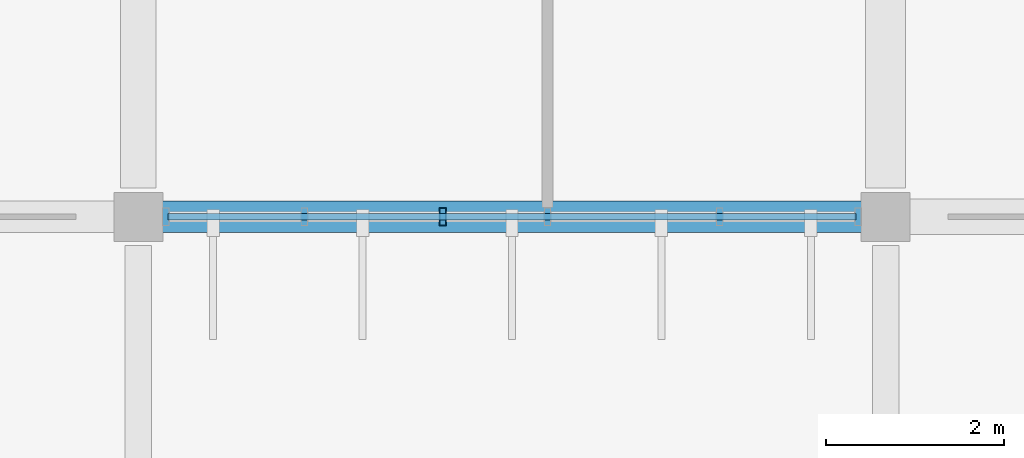
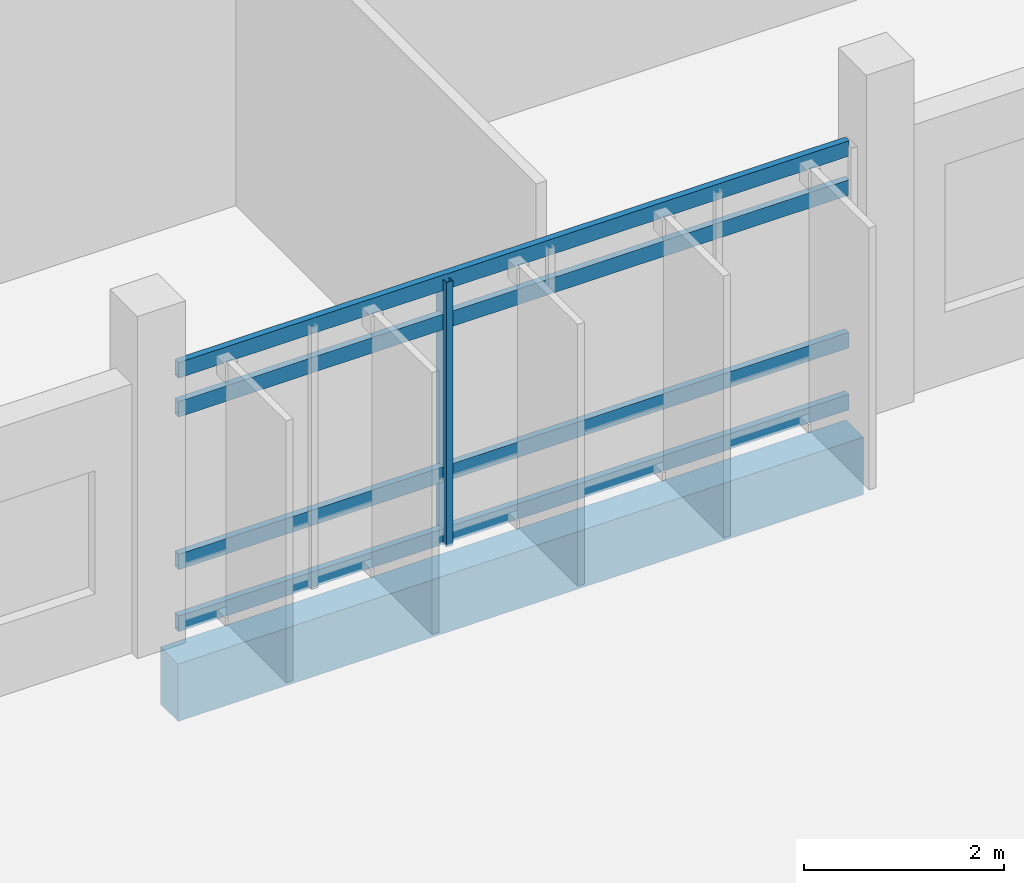
# One storey, part 68 of 130: 5 members, 1 beam, 1 element without a shape of its own.
"""IFC4 building model written with IfcOpenShell, lengths in metres."""

from ifc_helpers import new_model, si_unit, direction, frame, origin, origin_2d, place, context, subcontext, project, spatial, rectangle, hollow_rectangle, extrude, material, layer, layer_set, material_profile, profile_set, type_object, element, aggregate, save


model = new_model("IFC4")

# Units and contexts
model_context = context("Model", 3, precision=1e-05, world=origin(), true_north=direction((0.0, 1.0)))
body_context = subcontext(model_context, "Body", "Model", "MODEL_VIEW")
ifc_project = project(units=[si_unit("LENGTHUNIT", "METRE"), si_unit("AREAUNIT", "SQUARE_METRE"), si_unit("VOLUMEUNIT", "CUBIC_METRE"), si_unit("PLANEANGLEUNIT", "RADIAN"), si_unit("MASSUNIT", "GRAM", prefix="KILO")], contexts=[model_context])

# Site, building, storey
site_placement = place(None, origin())
site = spatial("IfcSite", under=ifc_project, at=site_placement, CompositionType="ELEMENT")
building_placement = place(site_placement, origin())
building = spatial("IfcBuilding", under=site, at=building_placement, Name="Vireocrest Preparatory School", CompositionType="ELEMENT")
storey_placement = place(building_placement, frame((0.0, 0.0, 9.0)))
storey = spatial("IfcBuildingStorey", under=building, at=storey_placement, Name="L02", CompositionType="ELEMENT", Elevation=9.0)

# Curtain wall, members
ifc_material_1 = material(Name="Thermally broken aluminium EN AW-6063-T6", Category="aluminium")
ifc_layer = layer(ifc_material_1, 0.179931640625)
ifc_layer_set = layer_set([ifc_layer], Name="Thermally broken aluminium EN AW-6063-T6")
curtain_wall_type = type_object("IfcCurtainWallType", Name="Side Facade Curtain Wall 9000x4200", PredefinedType="USERDEFINED", material=ifc_layer_set)
curtain_wall_placement = place(storey_placement, origin())
curtain_wall = element("IfcCurtainWall", 1, at=curtain_wall_placement, inside=storey, type_object=curtain_wall_type, Name="Curtain Wall CW07 CW_L02_CW07_0758_0948_090", ObjectType="CURTAIN WALL", PredefinedType="USERDEFINED")
ifc_material_profile_1 = material_profile(ifc_material_1, hollow_rectangle(XDim=0.074951171875, YDim=0.199951171875, WallThickness=0.0048828125, at=origin_2d()), Name="ALU 75x200x5")
ifc_profile_set_1 = profile_set([ifc_material_profile_1], Name="Thermally broken aluminium EN AW-6063-T6")
member_type_1 = type_object("IfcMemberType", Name="CW Mullion 75x200x5", PredefinedType="MULLION", material=ifc_profile_set_1)
member_1_placement = place(storey_placement, frame((79.02197265625, 94.800048828125, 0.0), z_axis=(0.0, 0.0, 1.0), x_axis=(1.0, 0.0, 0.0)))
member_1 = element("IfcMember", 2, at=member_1_placement, type_object=member_type_1, Name="CW Mullion ML3 CW_L02_CW07_0758_0948_090-3", PredefinedType="MULLION", context=body_context, shape_type="SweptSolid", body=[
    extrude(hollow_rectangle(XDim=0.074951171875, YDim=0.199951171875, WallThickness=0.0048828125, at=origin_2d()), origin(), (0.0, 0.0, 1.0), 3.22509765625),
])
ifc_material_profile_2 = material_profile(ifc_material_1, hollow_rectangle(XDim=0.074951171875, YDim=0.18994140625, WallThickness=0.00390625, at=origin_2d()), Name="ALU 75x190x4")
ifc_profile_set_2 = profile_set([ifc_material_profile_2], Name="Thermally broken aluminium EN AW-6063-T6")
member_type_2 = type_object("IfcMemberType", Name="CW Transom 75x190x4", PredefinedType="USERDEFINED", material=ifc_profile_set_2)
member_2_placement = place(storey_placement, frame((75.93505859375, 94.800048828125, 0.094970703125), z_axis=(1.0, 0.0, 0.0), x_axis=(0.0, 1.0, 0.0)))
member_2 = element("IfcMember", 3, at=member_2_placement, type_object=member_type_2, Name="CW Transom TR3 CW_L02_CW07_0758_0948_090-1", ObjectType="TRANSOM", PredefinedType="USERDEFINED", context=body_context, shape_type="SweptSolid", body=[
    extrude(hollow_rectangle(XDim=0.074951171875, YDim=0.18994140625, WallThickness=0.00390625, at=origin_2d()), origin(), (0.0, 0.0, 1.0), 7.72998046875),
])
member_3_placement = place(storey_placement, frame((75.93505859375, 94.800048828125, 0.85009765625), z_axis=(1.0, 0.0, 0.0), x_axis=(0.0, 1.0, 0.0)))
member_3 = element("IfcMember", 4, at=member_3_placement, type_object=member_type_2, Name="CW Transom TR3 CW_L02_CW07_0758_0948_090-2", ObjectType="TRANSOM", PredefinedType="USERDEFINED", context=body_context, shape_type="SweptSolid", body=[
    extrude(hollow_rectangle(XDim=0.074951171875, YDim=0.18994140625, WallThickness=0.00390625, at=origin_2d()), origin(), (0.0, 0.0, 1.0), 7.72998046875),
])
member_4_placement = place(storey_placement, frame((75.93505859375, 94.800048828125, 2.7099609375), z_axis=(1.0, 0.0, 0.0), x_axis=(0.0, 1.0, 0.0)))
member_4 = element("IfcMember", 5, at=member_4_placement, type_object=member_type_2, Name="CW Transom TR3 CW_L02_CW07_0758_0948_090-3", ObjectType="TRANSOM", PredefinedType="USERDEFINED", context=body_context, shape_type="SweptSolid", body=[
    extrude(hollow_rectangle(XDim=0.074951171875, YDim=0.18994140625, WallThickness=0.00390625, at=origin_2d()), origin(), (0.0, 0.0, 1.0), 7.72998046875),
])
member_5_placement = place(storey_placement, frame((75.93505859375, 94.800048828125, 3.18505859375), z_axis=(1.0, 0.0, 0.0), x_axis=(0.0, 1.0, 0.0)))
member_5 = element("IfcMember", 6, at=member_5_placement, type_object=member_type_2, Name="CW Transom TR3 CW_L02_CW07_0758_0948_090-4", ObjectType="TRANSOM", PredefinedType="USERDEFINED", context=body_context, shape_type="SweptSolid", body=[
    extrude(hollow_rectangle(XDim=0.074951171875, YDim=0.18994140625, WallThickness=0.00390625, at=origin_2d()), origin(), (0.0, 0.0, 1.0), 7.72998046875),
])
aggregate(curtain_wall, [member_1, member_2, member_3, member_4, member_5])

# Beam
ifc_material_2 = material(Name="Concrete 40 MPa", Category="concrete")
ifc_material_profile_3 = material_profile(ifc_material_2, rectangle(XDim=0.35009765625, YDim=0.699951171875, at=origin_2d()), Name="RC 350x700")
ifc_profile_set_3 = profile_set([ifc_material_profile_3], Name="Concrete 40 MPa")
beam_type = type_object("IfcBeamType", Name="RC Laboratory Girder 350x700", PredefinedType="BEAM", material=ifc_profile_set_3)
beam_placement = place(storey_placement, frame((75.85009765625, 94.800048828125, -0.6298828125), z_axis=(1.0, 0.0, 0.0), x_axis=(0.0, 1.0, 0.0)))
element("IfcBeam", 7, at=beam_placement, inside=storey, type_object=beam_type, Name="Primary Girder B06 L02-0760", PredefinedType="BEAM", context=body_context, shape_type="SweptSolid", body=[
    extrude(rectangle(XDim=0.35009765625, YDim=0.699951171875, at=origin_2d()), origin(), (0.0, 0.0, 1.0), 7.89990234375),
])

save(model, "model.ifc")
